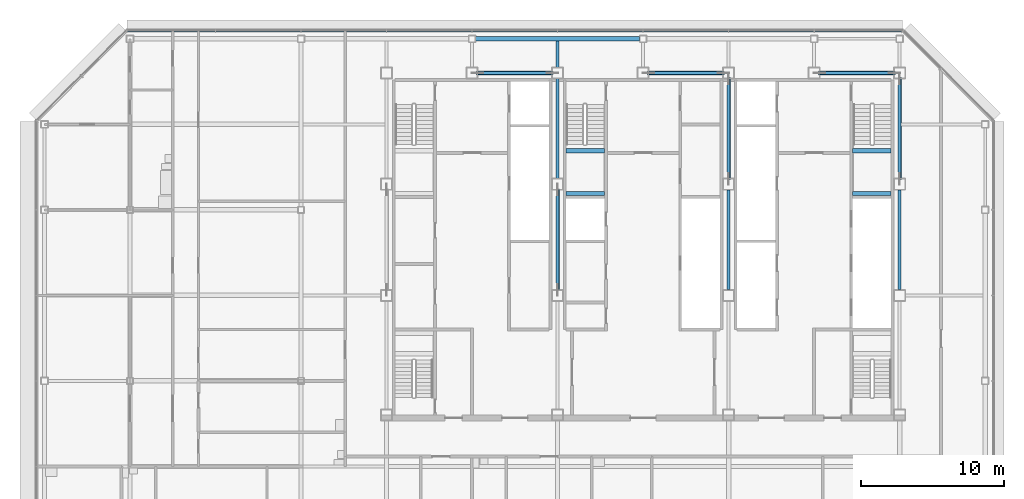
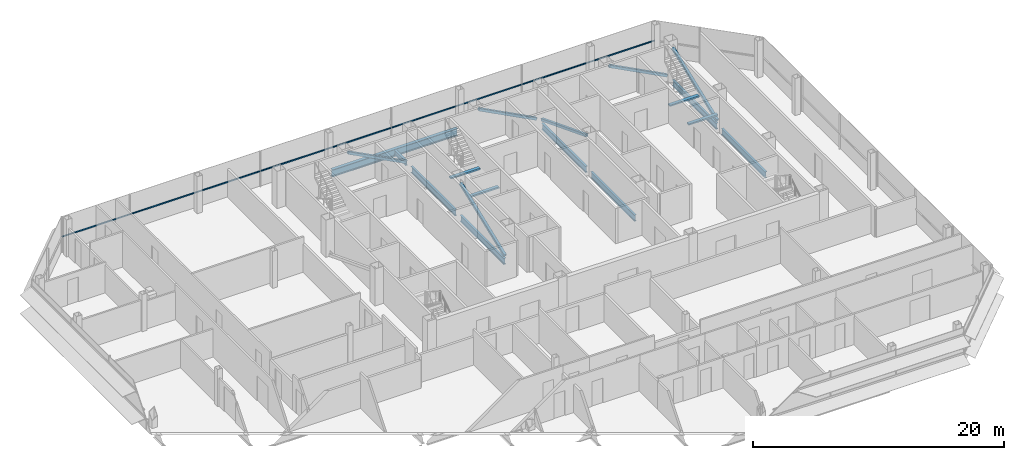
# One storey, part 15 of 28: 12 beams, 7 members, 1 element without a shape of its own.
"""IFC4 building model written with IfcOpenShell, lengths in metres."""

from ifc_helpers import new_model, si_unit, direction, frame, origin, origin_2d, place, context, subcontext, project, spatial, rectangle, hollow_rectangle, i_section, extrude, material, material_profile, profile_set, type_object, element, aggregate, save


model = new_model("IFC4")

# Units and contexts
model_context = context("Model", 3, precision=1e-05, world=origin(), true_north=direction((0.0, 1.0)))
body_context = subcontext(model_context, "Body", "Model", "MODEL_VIEW")
ifc_project = project(units=[si_unit("LENGTHUNIT", "METRE"), si_unit("AREAUNIT", "SQUARE_METRE"), si_unit("VOLUMEUNIT", "CUBIC_METRE"), si_unit("PLANEANGLEUNIT", "RADIAN"), si_unit("MASSUNIT", "GRAM", prefix="KILO")], contexts=[model_context])

# Site, building, storey
site_placement = place(None, origin())
site = spatial("IfcSite", under=ifc_project, at=site_placement, CompositionType="ELEMENT")
building_placement = place(site_placement, origin())
building = spatial("IfcBuilding", under=site, at=building_placement, Name="Sorahane Residences", CompositionType="ELEMENT")
storey_placement = place(building_placement, frame((0.0, 0.0, 308.800048828125)))
storey = spatial("IfcBuildingStorey", under=building, at=storey_placement, Name="L73", CompositionType="ELEMENT", Elevation=308.800048828125)

# Members
ifc_material_1 = material(Name="Steel Q355B", Category="steel")
ifc_material_profile_1 = material_profile(ifc_material_1, hollow_rectangle(XDim=0.25, YDim=0.25, WallThickness=0.011962890625, InnerFilletRadius=0.006103515625, OuterFilletRadius=0.01806640625, at=origin_2d()), Name="RHS 250x250x12")
ifc_profile_set_1 = profile_set([ifc_material_profile_1], Name="Steel Q355B")
member_type_1 = type_object("IfcMemberType", Name="Core brace RHS 250x250x12 Q355B", PredefinedType="BRACE", material=ifc_profile_set_1)
for number, where, z_axis, x_axis, name in (
    (1, (17.634765625, 45.60009765625, 0.106689453125), (-0.886099769192, 0.0, 0.46349455125), (0.0, -1.0, 0.0), "Core brace L73 y45.6-2"),
    (2, (29.634765625, 45.60009765625, 0.106689453125), (-0.886099769192, 0.0, 0.46349455125), (0.0, -1.0, 0.0), "Core brace L73 y45.6-4"),
    (3, (41.634765625, 45.60009765625, 0.106689453125), (-0.886099769192, 0.0, 0.46349455125), (0.0, -1.0, 0.0), "Core brace L73 y45.6-6"),
):
    element("IfcMember", number, at=place(storey_placement, frame(where, z_axis=z_axis, x_axis=x_axis)), inside=storey, type_object=member_type_1, Name=name, PredefinedType="BRACE", context=body_context, shape_type="SweptSolid", body=[
        extrude(hollow_rectangle(XDim=0.25, YDim=0.25, WallThickness=0.011962890625, InnerFilletRadius=0.006103515625, OuterFilletRadius=0.01806640625, at=origin_2d()), origin(), (0.0, 0.0, 1.0), 5.94677734375),
    ])
for number, where, z_axis, x_axis, name in (
    (4, (42.0, 38.1728515625, 0.114501953125), (0.0, 0.932108763247, 0.362178482902), (-1.0, 0.0, 0.0), "Core brace L73 x42-3"),
    (5, (18.0, 30.372802734375, 0.114501953125), (0.0, 0.932112994653, 0.362167592697), (-1.0, 0.0, 0.0), "Core brace L73 x18-1"),
    (6, (30.0, 45.22705078125, 0.114501953125), (0.0, -0.932108763247, 0.362178482902), (1.0, 0.0, 0.0), "Core brace L73 x30-2"),
):
    element("IfcMember", number, at=place(storey_placement, frame(where, z_axis=z_axis, x_axis=x_axis)), inside=storey, type_object=member_type_1, Name=name, PredefinedType="BRACE", context=body_context, shape_type="SweptSolid", body=[
        extrude(hollow_rectangle(XDim=0.25, YDim=0.25, WallThickness=0.011962890625, InnerFilletRadius=0.006103515625, OuterFilletRadius=0.01806640625, at=origin_2d()), origin(), (0.0, 0.0, 1.0), 7.568115234375),
    ])

# Curtain wall, member
ifc_material_2 = material(Name="Dark low-e glass and black anodised aluminium", Category="aluminium")
curtain_wall_type = type_object("IfcCurtainWallType", Name="Curtain wall CW-1 Typical unitised wall", PredefinedType="NOTDEFINED", material=ifc_material_2)
curtain_wall_placement = place(storey_placement, origin())
curtain_wall = element("IfcCurtainWall", 7, at=curtain_wall_placement, inside=storey, type_object=curtain_wall_type, Name="CW-1 curtain wall L73 N1", PredefinedType="NOTDEFINED")
ifc_material_3 = material(Name="Black anodised aluminium", Category="aluminium")
ifc_material_profile_2 = material_profile(ifc_material_3, rectangle(XDim=0.10009765625, YDim=0.06005859375, at=origin_2d()), Name="Curtain wall transom CW-1 black anodised aluminium 60x100")
ifc_profile_set_2 = profile_set([ifc_material_profile_2], Name="Black anodised aluminium")
member_type_2 = type_object("IfcMemberType", Name="Curtain wall transom CW-1 black anodised aluminium 60x100", PredefinedType="USERDEFINED", material=ifc_profile_set_2)
member_placement = place(storey_placement, frame((42.198486328125, 48.530029296875, 1.5), z_axis=(-1.0, 0.0, 0.0), x_axis=(0.0, -1.0, 0.0)))
member = element("IfcMember", 8, at=member_placement, type_object=member_type_2, Name="CW-1 transom L73 N1", ObjectType="TRANSOM", PredefinedType="USERDEFINED", context=body_context, shape_type="SweptSolid", body=[
    extrude(rectangle(XDim=0.10009765625, YDim=0.06005859375, at=origin_2d()), origin(), (0.0, 0.0, 1.0), 54.39697265625),
])
aggregate(curtain_wall, [member])

# Beams
ifc_material_4 = material(Name="Concrete C40", Category="concrete")
ifc_material_profile_3 = material_profile(ifc_material_4, rectangle(XDim=0.300048828125, YDim=0.139892578125, at=origin_2d()), Name="300x140")
ifc_profile_set_3 = profile_set([ifc_material_profile_3], Name="Concrete C40")
beam_type_1 = type_object("IfcBeamType", Name="RC landing beam 300 x 140 Concrete C40", PredefinedType="BEAM", material=ifc_profile_set_3)
for number, where, z_axis, x_axis, name in (
    (9, (38.699951171875, 37.14990234375, 1.530029296875), (1.0, 0.0, 0.0), (0.0, 1.0, 0.0), "Landing beam"),
    (10, (38.699951171875, 40.14990234375, 1.530029296875), (1.0, 0.0, 0.0), (0.0, 1.0, 0.0), "Landing beam"),
    (11, (18.60009765625, 37.14990234375, 1.530029296875), (1.0, 0.0, 0.0), (0.0, 1.0, 0.0), "Landing beam"),
    (12, (18.60009765625, 40.14990234375, 1.530029296875), (1.0, 0.0, 0.0), (0.0, 1.0, 0.0), "Landing beam"),
):
    element("IfcBeam", number, at=place(storey_placement, frame(where, z_axis=z_axis, x_axis=x_axis)), inside=storey, type_object=beam_type_1, Name=name, PredefinedType="BEAM", context=body_context, shape_type="SweptSolid", body=[
        extrude(rectangle(XDim=0.300048828125, YDim=0.139892578125, at=origin_2d()), origin(), (0.0, 0.0, 1.0), 2.699951171875),
    ])
ifc_material_5 = material(Name="Steel Q355B", Category="steel")
ifc_material_profile_4 = material_profile(ifc_material_5, i_section(OverallWidth=0.199951171875, OverallDepth=0.449951171875, WebThickness=0.009033203125, FlangeThickness=0.013916015625, FilletRadius=0.02001953125, at=origin_2d()), Name="HN 450x200x9x14")
ifc_profile_set_4 = profile_set([ifc_material_profile_4], Name="Steel Q355B")
beam_type_2 = type_object("IfcBeamType", Name="Steel floor beam HN 450x200x9x14 Q355B", PredefinedType="BEAM", material=ifc_profile_set_4)
beam_1_placement = place(storey_placement, frame((18.0, 46.0, -0.405029296875), z_axis=(0.0, 1.0, 0.0), x_axis=(-1.0, 0.0, 0.0)))
element("IfcBeam", 13, at=beam_1_placement, inside=storey, type_object=beam_type_2, Name="Beam L73 045", PredefinedType="BEAM", context=body_context, shape_type="SweptSolid", body=[
    extrude(i_section(OverallWidth=0.199951171875, OverallDepth=0.449951171875, WebThickness=0.009033203125, FlangeThickness=0.013916015625, FilletRadius=0.02001953125, at=origin_2d()), origin(), (0.0, 0.0, 1.0), 1.85009765625),
])
ifc_material_6 = material(Name="Steel Q355B", Category="steel")
ifc_material_profile_5 = material_profile(ifc_material_6, i_section(OverallWidth=0.199951171875, OverallDepth=0.60009765625, WebThickness=0.010986328125, FlangeThickness=0.01708984375, FilletRadius=0.02392578125, at=origin_2d()), Name="HN 600x200x11x17")
ifc_profile_set_5 = profile_set([ifc_material_profile_5], Name="Steel Q355B")
beam_type_3 = type_object("IfcBeamType", Name="Steel floor beam HN 600x200x11x17 Q355B", PredefinedType="BEAM", material=ifc_profile_set_5)
for number, where, z_axis, x_axis, name in (
    (14, (18.0, 30.39990234375, -0.47998046875), (0.0, 1.0, 0.0), (-1.0, 0.0, 0.0), "Beam L73 043"),
    (15, (18.0, 38.199951171875, -0.47998046875), (0.0, 1.0, 0.0), (-1.0, 0.0, 0.0), "Beam L73 044"),
    (16, (30.0, 30.39990234375, -0.47998046875), (0.0, 1.0, 0.0), (-1.0, 0.0, 0.0), "Beam L73 051"),
    (17, (30.0, 38.199951171875, -0.47998046875), (0.0, 1.0, 0.0), (-1.0, 0.0, 0.0), "Beam L73 052"),
    (18, (42.0, 30.39990234375, -0.47998046875), (0.0, 1.0, 0.0), (-1.0, 0.0, 0.0), "Beam L73 059"),
    (19, (42.0, 38.199951171875, -0.47998046875), (0.0, 1.0, 0.0), (-1.0, 0.0, 0.0), "Beam L73 060"),
):
    element("IfcBeam", number, at=place(storey_placement, frame(where, z_axis=z_axis, x_axis=x_axis)), inside=storey, type_object=beam_type_3, Name=name, PredefinedType="BEAM", context=body_context, shape_type="SweptSolid", body=[
        extrude(i_section(OverallWidth=0.199951171875, OverallDepth=0.60009765625, WebThickness=0.010986328125, FlangeThickness=0.01708984375, FilletRadius=0.02392578125, at=origin_2d()), origin(), (0.0, 0.0, 1.0), 7.0),
    ])
ifc_material_7 = material(Name="Steel Q355B", Category="steel")
ifc_material_profile_6 = material_profile(ifc_material_7, i_section(OverallWidth=0.300048828125, OverallDepth=0.699951171875, WebThickness=0.012939453125, FlangeThickness=0.02392578125, FilletRadius=0.028076171875, at=origin_2d()), Name="HN 700x300x13x24")
ifc_profile_set_6 = profile_set([ifc_material_profile_6], Name="Steel Q355B")
beam_type_4 = type_object("IfcBeamType", Name="Steel floor beam HN 700x300x13x24 Q355B", PredefinedType="BEAM", material=ifc_profile_set_6)
beam_2_placement = place(storey_placement, frame((12.25, 48.0, -0.530029296875), z_axis=(1.0, 0.0, 0.0), x_axis=(0.0, 1.0, 0.0)))
element("IfcBeam", 20, at=beam_2_placement, inside=storey, type_object=beam_type_4, Name="Beam L73 017", PredefinedType="BEAM", context=body_context, shape_type="SweptSolid", body=[
    extrude(i_section(OverallWidth=0.300048828125, OverallDepth=0.699951171875, WebThickness=0.012939453125, FlangeThickness=0.02392578125, FilletRadius=0.028076171875, at=origin_2d()), origin(), (0.0, 0.0, 1.0), 11.5),
])

save(model, "model.ifc")
